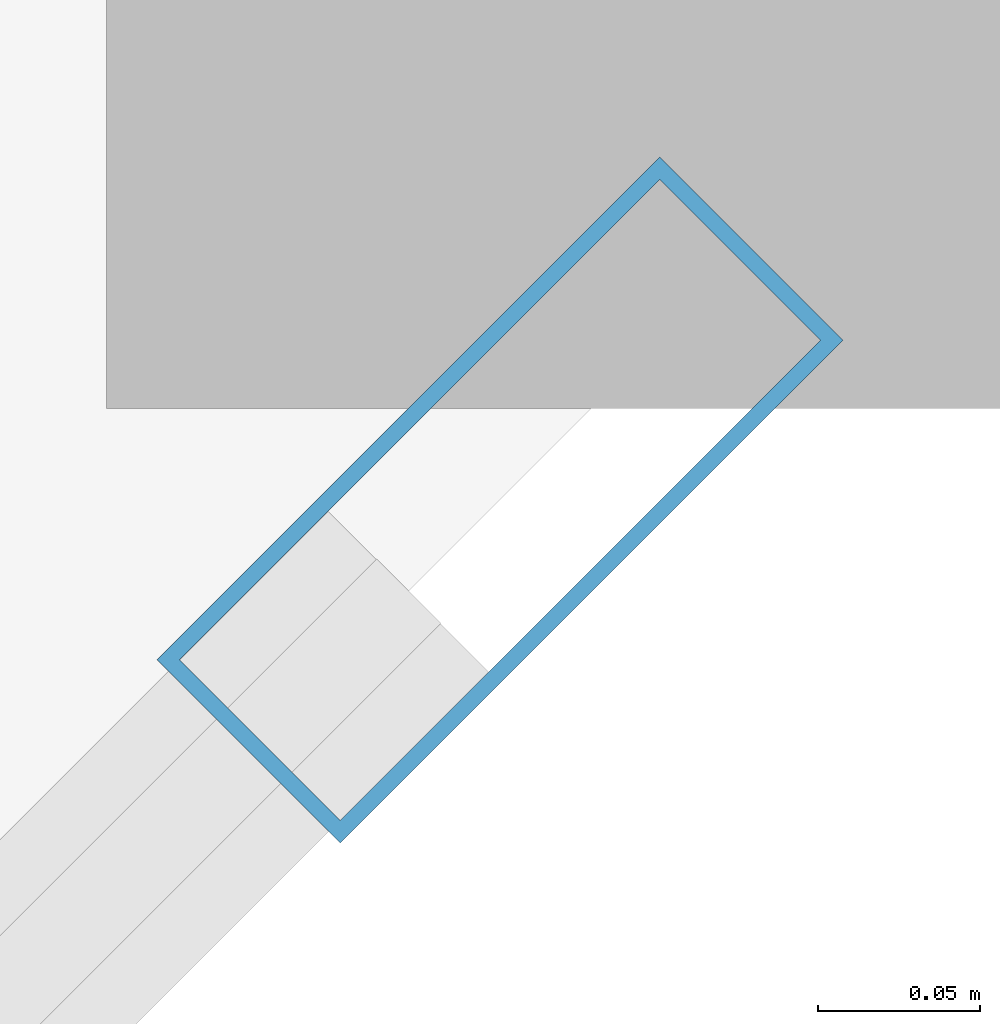
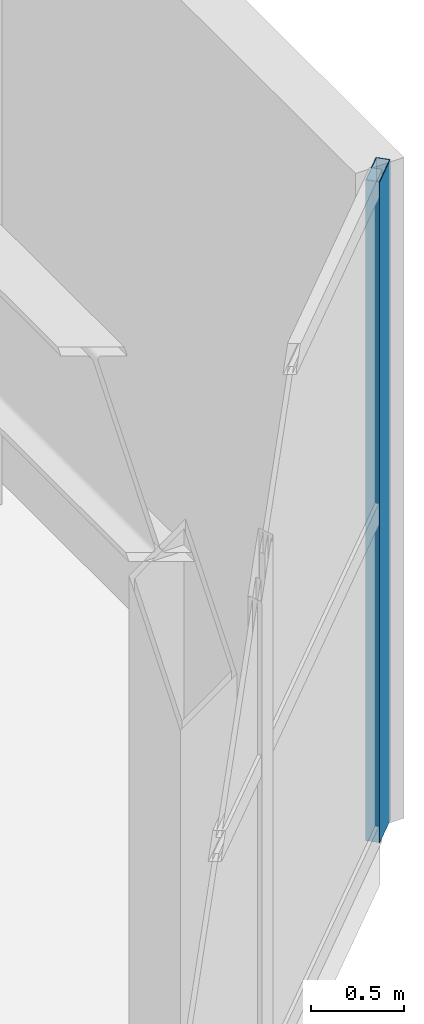
# One storey, part 10 of 25: 1 member, 1 element without a shape of its own.
"""IFC4 building model written with IfcOpenShell, lengths in metres."""

from ifc_helpers import new_model, si_unit, direction, frame, origin, origin_2d, place, context, subcontext, project, spatial, hollow_rectangle, extrude, material, layer, layer_set, material_profile, profile_set, type_object, element, aggregate, save


model = new_model("IFC4")

# Units and contexts
model_context = context("Model", 3, precision=1e-05, world=origin(), true_north=direction((0.0, 1.0)))
body_context = subcontext(model_context, "Body", "Model", "MODEL_VIEW")
ifc_project = project(units=[si_unit("LENGTHUNIT", "METRE"), si_unit("AREAUNIT", "SQUARE_METRE"), si_unit("VOLUMEUNIT", "CUBIC_METRE"), si_unit("PLANEANGLEUNIT", "RADIAN"), si_unit("MASSUNIT", "GRAM", prefix="KILO")], contexts=[model_context])

# Site, building, storey
site_placement = place(None, origin())
site = spatial("IfcSite", under=ifc_project, at=site_placement, CompositionType="ELEMENT")
building_placement = place(site_placement, origin())
building = spatial("IfcBuilding", under=site, at=building_placement, Name="Cununo Teusaquillo Station Towers", CompositionType="ELEMENT")
storey_placement = place(building_placement, frame((0.0, 0.0, 17.39990234375)))
storey = spatial("IfcBuildingStorey", under=building, at=storey_placement, Name="L04", CompositionType="ELEMENT", Elevation=17.39990234375)

# Curtain wall, member
ifc_material_1 = material(Name="Ceramic-fritted dark low-E double glazing", Category="glass")
ifc_layer = layer(ifc_material_1, 0.179931640625)
ifc_layer_set = layer_set([ifc_layer], Name="Ceramic-fritted dark low-E double glazing")
curtain_wall_type = type_object("IfcCurtainWallType", Name="CW-SYS-01", PredefinedType="USERDEFINED", material=ifc_layer_set)
curtain_wall_placement = place(storey_placement, origin())
curtain_wall = element("IfcCurtainWall", 1, at=curtain_wall_placement, inside=storey, type_object=curtain_wall_type, Name="L04 Station Podium Corner Curtain Wall 6", ObjectType="FRITTED GLAZING", PredefinedType="USERDEFINED")
ifc_material_2 = material(Name="Anodised dark bronze aluminium EN AW-6063-T6", Category="aluminium")
ifc_material_profile = material_profile(ifc_material_2, hollow_rectangle(XDim=0.080078125, YDim=0.219970703125, WallThickness=0.0048828125, at=origin_2d()), Name="CW-MULL-80x220")
ifc_profile_set = profile_set([ifc_material_profile], Name="Anodised dark bronze aluminium EN AW-6063-T6")
member_type = type_object("IfcMemberType", Name="CWM-220", PredefinedType="MULLION", material=ifc_profile_set)
member_placement = place(storey_placement, frame((81.771728515625, 4.4716796875, 0.0), z_axis=(0.0, 0.0, 1.0), x_axis=(0.707106781187, -0.707106781187, 0.0)))
member = element("IfcMember", 2, at=member_placement, type_object=member_type, Name="CW-01 mullion 1", PredefinedType="MULLION", context=body_context, shape_type="SweptSolid", body=[
    extrude(hollow_rectangle(XDim=0.080078125, YDim=0.219970703125, WallThickness=0.0048828125, at=origin_2d()), origin(), (0.0, 0.0, 1.0), 4.3251953125),
])
aggregate(curtain_wall, [member])

save(model, "model.ifc")
